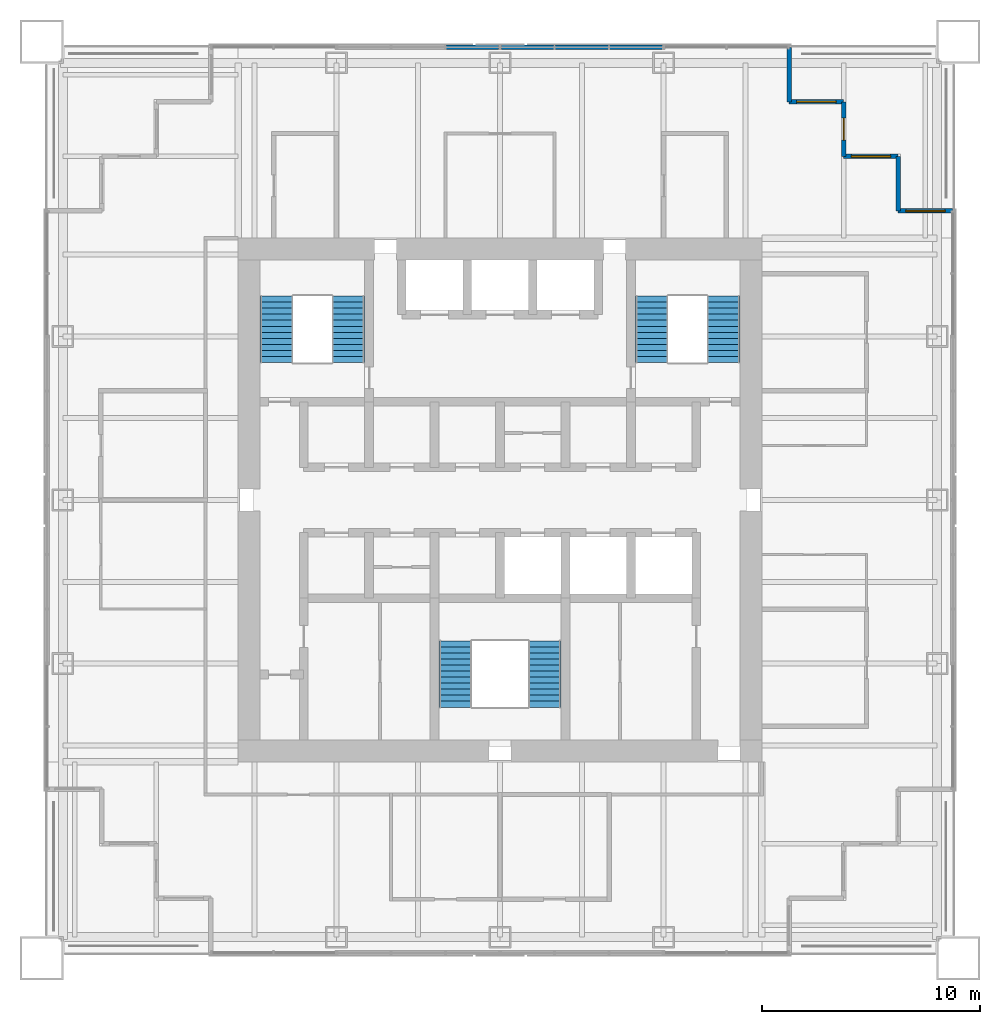
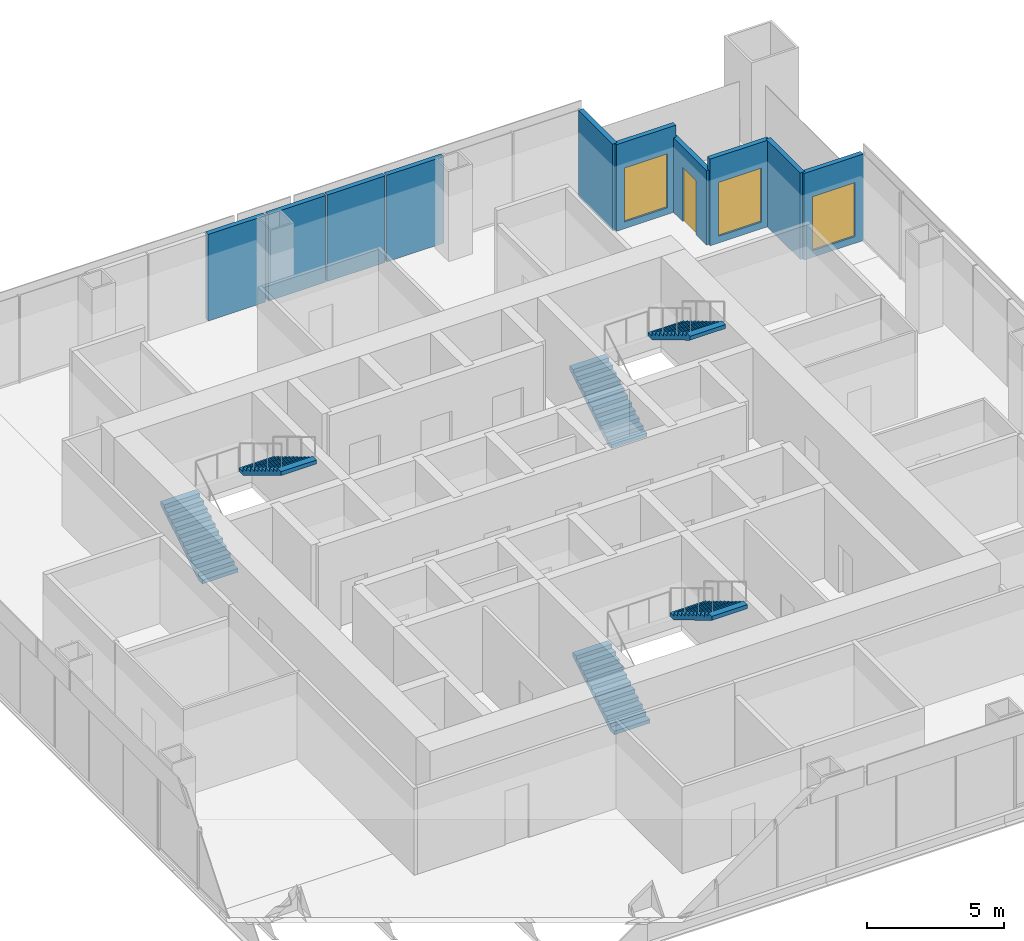
# One storey, part 12 of 14: 10 walls, 6 stair flights, 3 windows, 1 door, 4 openings, 3 elements without a shape of their own.
"""IFC4 building model written with IfcOpenShell, lengths in metres."""

from ifc_helpers import new_model, si_unit, direction, frame, frame_2d, origin, place, context, subcontext, project, spatial, polyline, rectangle, outline, extrude, material, layer, layer_set, type_object, element, fill, aggregate, save


model = new_model("IFC4")

# Units and contexts
model_context = context("Model", 3, precision=1e-05, world=origin(), true_north=direction((0.0, 1.0)))
body_context = subcontext(model_context, "Body", "Model", "MODEL_VIEW")
ifc_project = project(units=[si_unit("LENGTHUNIT", "METRE"), si_unit("AREAUNIT", "SQUARE_METRE"), si_unit("VOLUMEUNIT", "CUBIC_METRE"), si_unit("PLANEANGLEUNIT", "RADIAN"), si_unit("MASSUNIT", "GRAM", prefix="KILO")], contexts=[model_context])

# Site, building, storey
site_placement = place(None, origin())
site = spatial("IfcSite", under=ifc_project, at=site_placement, CompositionType="ELEMENT")
building_placement = place(site_placement, origin())
building = spatial("IfcBuilding", under=site, at=building_placement, Name="Tarangal Relay Tower", CompositionType="ELEMENT")
storey_placement = place(building_placement, frame((0.0, 0.0, 311.89990234375)))
storey = spatial("IfcBuildingStorey", under=building, at=storey_placement, Name="L69", CompositionType="ELEMENT", Elevation=311.89990234375)

# Wall
ifc_material_1 = material(Name="Black metal clad insulated wall", Category="steel")
ifc_layer_1 = layer(ifc_material_1, 0.199951171875)
ifc_layer_set_1 = layer_set([ifc_layer_1], Name="Corner wall metal clad 200")
wall_type_1 = type_object("IfcWallType", Name="Corner wall metal clad 200", PredefinedType="SOLIDWALL", material=ifc_layer_set_1)
wall_1_placement = place(storey_placement, frame((13.25, 20.75, 0.0), z_axis=(0.0, 0.0, 1.0), x_axis=(0.0, -1.0, 0.0)))
element("IfcWall", 1, at=wall_1_placement, inside=storey, type_object=wall_type_1, Name="Facade wall N facade L69", PredefinedType="SOLIDWALL", context=body_context, shape_type="SweptSolid", body=[
    extrude(rectangle(XDim=2.5, YDim=0.199951171875, at=frame_2d((1.25, 0.0))), origin(), (0.0, 0.0, 1.0), 3.85009765625),
])

# Wall, opening, window
wall_2_placement = place(storey_placement, frame((13.25, 18.25, 0.0), z_axis=(0.0, 0.0, 1.0), x_axis=(1.0, 0.0, 0.0)))
wall_2 = element("IfcWall", 2, at=wall_2_placement, inside=storey, type_object=wall_type_1, Name="Facade wall N facade L69", PredefinedType="SOLIDWALL", context=body_context, shape_type="SweptSolid", body=[
    extrude(rectangle(XDim=2.5, YDim=0.199951171875, at=frame_2d((1.25, 0.0))), origin(), (0.0, 0.0, 1.0), 3.85009765625),
])
opening_1_placement = place(wall_2_placement, frame((0.35009765625, 0.0, 0.300048828125)))
opening_1 = element("IfcOpeningElement", 3, at=opening_1_placement, cuts=wall_2, Name="Opening WN2", PredefinedType="OPENING", context=body_context, shape_type="SweptSolid", body=[
    extrude(rectangle(XDim=1.800048828125, YDim=2.39990234375, at=frame_2d((0.89990234375, 1.199951171875))), frame((0.0, 0.10986328125, 0.0), z_axis=(0.0, -1.0, 0.0), x_axis=(1.0, 0.0, 0.0)), (0.0, 0.0, 1.0), 0.219970703125),
])
ifc_material_2 = material(Name="Dark tinted double glazing in black aluminium frame", Category="aluminium")
window_type = type_object("IfcWindowType", Name="Corner window 1800 x 2400", PartitioningType="SINGLE_PANEL", PredefinedType="WINDOW", material=ifc_material_2)
window_1_placement = place(opening_1_placement, origin())
window_1 = element("IfcWindow", 4, at=window_1_placement, inside=storey, type_object=window_type, Name="Corner window WN2 N facade L69", OverallHeight=2.39990234375, OverallWidth=1.800048828125, PartitioningType="SINGLE_PANEL", PredefinedType="WINDOW", context=body_context, shape_type="SweptSolid", body=[
    extrude(rectangle(XDim=1.800048828125, YDim=2.39990234375, at=frame_2d((0.89990234375, 1.199951171875))), frame((0.0, 0.030029296875, 0.0), z_axis=(0.0, -1.0, 0.0), x_axis=(1.0, 0.0, 0.0)), (0.0, 0.0, 1.0), 0.06005859375),
])
fill(opening_1, window_1)

# Wall, opening, door
wall_3_placement = place(storey_placement, frame((15.75, 18.25, 0.0), z_axis=(0.0, 0.0, 1.0), x_axis=(0.0, -1.0, 0.0)))
wall_3 = element("IfcWall", 5, at=wall_3_placement, inside=storey, type_object=wall_type_1, Name="Facade wall N facade L69", PredefinedType="SOLIDWALL", context=body_context, shape_type="SweptSolid", body=[
    extrude(rectangle(XDim=2.5, YDim=0.199951171875, at=frame_2d((1.25, 0.0))), origin(), (0.0, 0.0, 1.0), 3.316650390625),
])
opening_2_placement = place(wall_3_placement, frame((0.75, 0.0, 0.0)))
opening_2 = element("IfcOpeningElement", 6, at=opening_2_placement, cuts=wall_3, Name="Opening TD1", PredefinedType="OPENING", context=body_context, shape_type="SweptSolid", body=[
    extrude(rectangle(XDim=1.0, YDim=2.39990234375, at=frame_2d((0.5, 1.199951171875))), frame((0.0, 0.10986328125, 0.0), z_axis=(0.0, -1.0, 0.0), x_axis=(1.0, 0.0, 0.0)), (0.0, 0.0, 1.0), 0.219970703125),
])
ifc_material_3 = material(Name="Aluminium glazed door", Category="aluminium")
door_type = type_object("IfcDoorType", Name="Terrace door 1000 x 2400", OperationType="SINGLE_SWING_RIGHT", PredefinedType="DOOR", material=ifc_material_3)
door_placement = place(opening_2_placement, origin())
door = element("IfcDoor", 7, at=door_placement, inside=storey, type_object=door_type, Name="Terrace door TD1 NE L69", OperationType="SINGLE_SWING_RIGHT", OverallHeight=2.39990234375, OverallWidth=1.0, PredefinedType="DOOR", context=body_context, shape_type="SweptSolid", body=[
    extrude(rectangle(XDim=1.0, YDim=2.39990234375, at=frame_2d((0.5, 1.199951171875))), frame((0.0, 0.02490234375, 0.0), z_axis=(0.0, -1.0, 0.0), x_axis=(1.0, 0.0, 0.0)), (0.0, 0.0, 1.0), 0.050048828125),
])
fill(opening_2, door)

# Wall, opening, window
wall_4_placement = place(storey_placement, frame((15.75, 15.75, 0.0), z_axis=(0.0, 0.0, 1.0), x_axis=(1.0, 0.0, 0.0)))
wall_4 = element("IfcWall", 8, at=wall_4_placement, inside=storey, type_object=wall_type_1, Name="Facade wall N facade L69", PredefinedType="SOLIDWALL", context=body_context, shape_type="SweptSolid", body=[
    extrude(rectangle(XDim=2.5, YDim=0.199951171875, at=frame_2d((1.25, 0.0))), origin(), (0.0, 0.0, 1.0), 3.85009765625),
])
opening_3_placement = place(wall_4_placement, frame((0.35009765625, 0.0, 0.300048828125)))
opening_3 = element("IfcOpeningElement", 9, at=opening_3_placement, cuts=wall_4, Name="Opening WN2", PredefinedType="OPENING", context=body_context, shape_type="SweptSolid", body=[
    extrude(rectangle(XDim=1.800048828125, YDim=2.39990234375, at=frame_2d((0.89990234375, 1.199951171875))), frame((0.0, 0.10986328125, 0.0), z_axis=(0.0, -1.0, 0.0), x_axis=(1.0, 0.0, 0.0)), (0.0, 0.0, 1.0), 0.219970703125),
])
window_2_placement = place(opening_3_placement, origin())
window_2 = element("IfcWindow", 10, at=window_2_placement, inside=storey, type_object=window_type, Name="Corner window WN2 N facade L69", OverallHeight=2.39990234375, OverallWidth=1.800048828125, PartitioningType="SINGLE_PANEL", PredefinedType="WINDOW", context=body_context, shape_type="SweptSolid", body=[
    extrude(rectangle(XDim=1.800048828125, YDim=2.39990234375, at=frame_2d((0.89990234375, 1.199951171875))), frame((0.0, 0.030029296875, 0.0), z_axis=(0.0, -1.0, 0.0), x_axis=(1.0, 0.0, 0.0)), (0.0, 0.0, 1.0), 0.06005859375),
])
fill(opening_3, window_2)

# Wall
wall_5_placement = place(storey_placement, frame((18.25, 15.75, 0.0), z_axis=(0.0, 0.0, 1.0), x_axis=(0.0, -1.0, 0.0)))
element("IfcWall", 11, at=wall_5_placement, inside=storey, type_object=wall_type_1, Name="Facade wall N facade L69", PredefinedType="SOLIDWALL", context=body_context, shape_type="SweptSolid", body=[
    extrude(rectangle(XDim=2.5, YDim=0.199951171875, at=frame_2d((1.25, 0.0))), origin(), (0.0, 0.0, 1.0), 3.85009765625),
])

# Wall, opening, window
wall_6_placement = place(storey_placement, frame((18.25, 13.25, 0.0), z_axis=(0.0, 0.0, 1.0), x_axis=(1.0, 0.0, 0.0)))
wall_6 = element("IfcWall", 12, at=wall_6_placement, inside=storey, type_object=wall_type_1, Name="Facade wall N facade L69", PredefinedType="SOLIDWALL", context=body_context, shape_type="SweptSolid", body=[
    extrude(rectangle(XDim=2.5, YDim=0.199951171875, at=frame_2d((1.25, 0.0))), origin(), (0.0, 0.0, 1.0), 3.85009765625),
])
opening_4_placement = place(wall_6_placement, frame((0.35009765625, 0.0, 0.300048828125)))
opening_4 = element("IfcOpeningElement", 13, at=opening_4_placement, cuts=wall_6, Name="Opening WN2", PredefinedType="OPENING", context=body_context, shape_type="SweptSolid", body=[
    extrude(rectangle(XDim=1.800048828125, YDim=2.39990234375, at=frame_2d((0.89990234375, 1.199951171875))), frame((0.0, 0.10986328125, 0.0), z_axis=(0.0, -1.0, 0.0), x_axis=(1.0, 0.0, 0.0)), (0.0, 0.0, 1.0), 0.219970703125),
])
window_3_placement = place(opening_4_placement, origin())
window_3 = element("IfcWindow", 14, at=window_3_placement, inside=storey, type_object=window_type, Name="Corner window WN2 N facade L69", OverallHeight=2.39990234375, OverallWidth=1.800048828125, PartitioningType="SINGLE_PANEL", PredefinedType="WINDOW", context=body_context, shape_type="SweptSolid", body=[
    extrude(rectangle(XDim=1.800048828125, YDim=2.39990234375, at=frame_2d((0.89990234375, 1.199951171875))), frame((0.0, 0.030029296875, 0.0), z_axis=(0.0, -1.0, 0.0), x_axis=(1.0, 0.0, 0.0)), (0.0, 0.0, 1.0), 0.06005859375),
])
fill(opening_4, window_3)

# Walls
ifc_layer_2 = layer(ifc_material_1, 0.199951171875)
ifc_layer_set_2 = layer_set([ifc_layer_2], Name="Facade infill wall metal clad 200")
wall_type_2 = type_object("IfcWallType", Name="Facade infill wall metal clad 200", PredefinedType="SOLIDWALL", material=ifc_layer_set_2)
for number, where, z_axis, x_axis, name in (
    (15, (-2.469970703125, 20.75, 0.0), (0.0, 0.0, 1.0), (1.0, 0.0, 0.0), "Facade infill wall N facade L69 3.1"),
    (16, (0.06005859375, 20.75, 0.0), (0.0, 0.0, 1.0), (1.0, 0.0, 0.0), "Facade infill wall N facade L69 1.1"),
):
    element("IfcWall", number, at=place(storey_placement, frame(where, z_axis=z_axis, x_axis=x_axis)), inside=storey, type_object=wall_type_2, Name=name, PredefinedType="SOLIDWALL", context=body_context, shape_type="SweptSolid", body=[
        extrude(rectangle(XDim=2.409912109375, YDim=0.199951171875, at=frame_2d((1.205078125, 0.0))), origin(), (0.0, 0.0, 1.0), 3.85009765625),
    ])
wall_7_placement = place(storey_placement, frame((2.530029296875, 20.75, 0.0), z_axis=(0.0, 0.0, 1.0), x_axis=(1.0, 0.0, 0.0)))
element("IfcWall", 17, at=wall_7_placement, inside=storey, type_object=wall_type_2, Name="Facade infill wall N facade L69 2.1", PredefinedType="SOLIDWALL", context=body_context, shape_type="SweptSolid", body=[
    extrude(rectangle(XDim=2.43994140625, YDim=0.199951171875, at=frame_2d((1.219970703125, 0.0))), origin(), (0.0, 0.0, 1.0), 3.85009765625),
])
wall_8_placement = place(storey_placement, frame((5.030029296875, 20.75, 0.0), z_axis=(0.0, 0.0, 1.0), x_axis=(1.0, 0.0, 0.0)))
element("IfcWall", 18, at=wall_8_placement, inside=storey, type_object=wall_type_2, Name="Facade infill wall N facade L69 3.1", PredefinedType="SOLIDWALL", context=body_context, shape_type="SweptSolid", body=[
    extrude(rectangle(XDim=2.409912109375, YDim=0.199951171875, at=frame_2d((1.205078125, 0.0))), origin(), (0.0, 0.0, 1.0), 3.85009765625),
])

# Stair, stair flights
ifc_material_4 = material(Name="Steel ASTM A992 stair flight", Category="steel")
stair_type = type_object("IfcStairType", Name="Core stair 1500", PredefinedType="HALF_TURN_STAIR", material=ifc_material_4)
stair_1_placement = place(storey_placement, origin())
stair_1 = element("IfcStair", 19, at=stair_1_placement, inside=storey, type_object=stair_type, Name="Stair ST-A L69", PredefinedType="HALF_TURN_STAIR")
stair_flight_type = type_object("IfcStairFlightType", Name="Steel stair flight 1500, 12 risers 167 x 277", PredefinedType="STRAIGHT", material=ifc_material_4)
stair_flight_1_placement = place(storey_placement, frame((-10.25, 6.300048828125, 0.0), z_axis=(0.0, 0.0, 1.0), x_axis=(0.0, 1.0, 0.0)))
stair_flight_1 = element("IfcStairFlight", 20, at=stair_flight_1_placement, type_object=stair_flight_type, Name="ST-A flight 1", NumberOfRisers=12, NumberOfTreads=11, PredefinedType="STRAIGHT", RiserHeight=0.166666667, TreadLength=0.277, context=body_context, shape_type="SweptSolid", body=[
    extrude(outline(polyline([(0.0, 0.0), (0.0, 0.166748046875), (0.277099609375, 0.166748046875), (0.277099609375, 0.333251953125), (0.553955078125, 0.333251953125), (0.553955078125, 0.5), (0.8310546875, 0.5), (0.8310546875, 0.666748046875), (1.10791015625, 0.666748046875), (1.10791015625, 0.833251953125), (1.385009765625, 0.833251953125), (1.385009765625, 1.0), (1.662109375, 1.0), (1.662109375, 1.166748046875), (1.93896484375, 1.166748046875), (1.93896484375, 1.333251953125), (2.216064453125, 1.333251953125), (2.216064453125, 1.5), (2.492919921875, 1.5), (2.492919921875, 1.666748046875), (2.77001953125, 1.666748046875), (2.77001953125, 1.833251953125), (3.047119140625, 1.833251953125), (3.047119140625, 2.0), (3.047119140625, 1.658447265625), (0.290771484375, 0.0), (0.0, 0.0)])), frame((0.0, 0.75, 0.0), z_axis=(0.0, -1.0, 0.0), x_axis=(1.0, 0.0, 0.0)), (0.0, 0.0, 1.0), 1.5),
])
stair_flight_2_placement = place(storey_placement, frame((-6.949951171875, 9.346923828125, 2.0), z_axis=(0.0, 0.0, 1.0), x_axis=(0.0, -1.0, 0.0)))
stair_flight_2 = element("IfcStairFlight", 21, at=stair_flight_2_placement, type_object=stair_flight_type, Name="ST-A flight 2", NumberOfRisers=12, NumberOfTreads=11, PredefinedType="STRAIGHT", RiserHeight=0.166666667, TreadLength=0.277, context=body_context, shape_type="SweptSolid", body=[
    extrude(outline(polyline([(0.0, 0.0), (0.0, 0.166748046875), (0.277099609375, 0.166748046875), (0.277099609375, 0.333251953125), (0.553955078125, 0.333251953125), (0.553955078125, 0.5), (0.8310546875, 0.5), (0.8310546875, 0.666748046875), (1.10791015625, 0.666748046875), (1.10791015625, 0.833251953125), (1.385009765625, 0.833251953125), (1.385009765625, 1.0), (1.662109375, 1.0), (1.662109375, 1.166748046875), (1.93896484375, 1.166748046875), (1.93896484375, 1.333251953125), (2.216064453125, 1.333251953125), (2.216064453125, 1.5), (2.492919921875, 1.5), (2.492919921875, 1.666748046875), (2.77001953125, 1.666748046875), (2.77001953125, 1.833251953125), (3.047119140625, 1.833251953125), (3.047119140625, 2.0), (3.047119140625, 1.658447265625), (0.290771484375, 0.0), (0.0, 0.0)])), frame((0.0, 0.75, 0.0), z_axis=(0.0, -1.0, 0.0), x_axis=(1.0, 0.0, 0.0)), (0.0, 0.0, 1.0), 1.5),
])
aggregate(stair_1, [stair_flight_1, stair_flight_2])

stair_2_placement = place(storey_placement, origin())
stair_2 = element("IfcStair", 22, at=stair_2_placement, inside=storey, type_object=stair_type, Name="Stair ST-B L69", PredefinedType="HALF_TURN_STAIR")
stair_flight_3_placement = place(storey_placement, frame((6.949951171875, 6.300048828125, 0.0), z_axis=(0.0, 0.0, 1.0), x_axis=(0.0, 1.0, 0.0)))
stair_flight_3 = element("IfcStairFlight", 23, at=stair_flight_3_placement, type_object=stair_flight_type, Name="ST-B flight 1", NumberOfRisers=12, NumberOfTreads=11, PredefinedType="STRAIGHT", RiserHeight=0.166666667, TreadLength=0.277, context=body_context, shape_type="SweptSolid", body=[
    extrude(outline(polyline([(0.0, 0.0), (0.0, 0.166748046875), (0.277099609375, 0.166748046875), (0.277099609375, 0.333251953125), (0.553955078125, 0.333251953125), (0.553955078125, 0.5), (0.8310546875, 0.5), (0.8310546875, 0.666748046875), (1.10791015625, 0.666748046875), (1.10791015625, 0.833251953125), (1.385009765625, 0.833251953125), (1.385009765625, 1.0), (1.662109375, 1.0), (1.662109375, 1.166748046875), (1.93896484375, 1.166748046875), (1.93896484375, 1.333251953125), (2.216064453125, 1.333251953125), (2.216064453125, 1.5), (2.492919921875, 1.5), (2.492919921875, 1.666748046875), (2.77001953125, 1.666748046875), (2.77001953125, 1.833251953125), (3.047119140625, 1.833251953125), (3.047119140625, 2.0), (3.047119140625, 1.658447265625), (0.290771484375, 0.0), (0.0, 0.0)])), frame((0.0, 0.75, 0.0), z_axis=(0.0, -1.0, 0.0), x_axis=(1.0, 0.0, 0.0)), (0.0, 0.0, 1.0), 1.5),
])
stair_flight_4_placement = place(storey_placement, frame((10.25, 9.346923828125, 2.0), z_axis=(0.0, 0.0, 1.0), x_axis=(0.0, -1.0, 0.0)))
stair_flight_4 = element("IfcStairFlight", 24, at=stair_flight_4_placement, type_object=stair_flight_type, Name="ST-B flight 2", NumberOfRisers=12, NumberOfTreads=11, PredefinedType="STRAIGHT", RiserHeight=0.166666667, TreadLength=0.277, context=body_context, shape_type="SweptSolid", body=[
    extrude(outline(polyline([(0.0, 0.0), (0.0, 0.166748046875), (0.277099609375, 0.166748046875), (0.277099609375, 0.333251953125), (0.553955078125, 0.333251953125), (0.553955078125, 0.5), (0.8310546875, 0.5), (0.8310546875, 0.666748046875), (1.10791015625, 0.666748046875), (1.10791015625, 0.833251953125), (1.385009765625, 0.833251953125), (1.385009765625, 1.0), (1.662109375, 1.0), (1.662109375, 1.166748046875), (1.93896484375, 1.166748046875), (1.93896484375, 1.333251953125), (2.216064453125, 1.333251953125), (2.216064453125, 1.5), (2.492919921875, 1.5), (2.492919921875, 1.666748046875), (2.77001953125, 1.666748046875), (2.77001953125, 1.833251953125), (3.047119140625, 1.833251953125), (3.047119140625, 2.0), (3.047119140625, 1.658447265625), (0.290771484375, 0.0), (0.0, 0.0)])), frame((0.0, 0.75, 0.0), z_axis=(0.0, -1.0, 0.0), x_axis=(1.0, 0.0, 0.0)), (0.0, 0.0, 1.0), 1.5),
])
aggregate(stair_2, [stair_flight_3, stair_flight_4])

stair_3_placement = place(storey_placement, origin())
stair_3 = element("IfcStair", 25, at=stair_3_placement, inside=storey, type_object=stair_type, Name="Stair ST-C L69", PredefinedType="HALF_TURN_STAIR")
stair_flight_5_placement = place(storey_placement, frame((-2.050048828125, -9.5, 0.0), z_axis=(0.0, 0.0, 1.0), x_axis=(0.0, 1.0, 0.0)))
stair_flight_5 = element("IfcStairFlight", 26, at=stair_flight_5_placement, type_object=stair_flight_type, Name="ST-C flight 1", NumberOfRisers=12, NumberOfTreads=11, PredefinedType="STRAIGHT", RiserHeight=0.166666667, TreadLength=0.277, context=body_context, shape_type="SweptSolid", body=[
    extrude(outline(polyline([(0.0, 0.0), (0.0, 0.166748046875), (0.277099609375, 0.166748046875), (0.277099609375, 0.333251953125), (0.553955078125, 0.333251953125), (0.553955078125, 0.5), (0.8310546875, 0.5), (0.8310546875, 0.666748046875), (1.10791015625, 0.666748046875), (1.10791015625, 0.833251953125), (1.385009765625, 0.833251953125), (1.385009765625, 1.0), (1.662109375, 1.0), (1.662109375, 1.166748046875), (1.93896484375, 1.166748046875), (1.93896484375, 1.333251953125), (2.216064453125, 1.333251953125), (2.216064453125, 1.5), (2.492919921875, 1.5), (2.492919921875, 1.666748046875), (2.77001953125, 1.666748046875), (2.77001953125, 1.833251953125), (3.047119140625, 1.833251953125), (3.047119140625, 2.0), (3.047119140625, 1.658447265625), (0.290771484375, 0.0), (0.0, 0.0)])), frame((0.0, 0.75, 0.0), z_axis=(0.0, -1.0, 0.0), x_axis=(1.0, 0.0, 0.0)), (0.0, 0.0, 1.0), 1.5),
])
stair_flight_6_placement = place(storey_placement, frame((2.050048828125, -6.452880859375, 2.0), z_axis=(0.0, 0.0, 1.0), x_axis=(0.0, -1.0, 0.0)))
stair_flight_6 = element("IfcStairFlight", 27, at=stair_flight_6_placement, type_object=stair_flight_type, Name="ST-C flight 2", NumberOfRisers=12, NumberOfTreads=11, PredefinedType="STRAIGHT", RiserHeight=0.166666667, TreadLength=0.277, context=body_context, shape_type="SweptSolid", body=[
    extrude(outline(polyline([(0.0, 0.0), (0.0, 0.166748046875), (0.277099609375, 0.166748046875), (0.277099609375, 0.333251953125), (0.553955078125, 0.333251953125), (0.553955078125, 0.5), (0.8310546875, 0.5), (0.8310546875, 0.666748046875), (1.10791015625, 0.666748046875), (1.10791015625, 0.833251953125), (1.385009765625, 0.833251953125), (1.385009765625, 1.0), (1.662109375, 1.0), (1.662109375, 1.166748046875), (1.93896484375, 1.166748046875), (1.93896484375, 1.333251953125), (2.216064453125, 1.333251953125), (2.216064453125, 1.5), (2.492919921875, 1.5), (2.492919921875, 1.666748046875), (2.77001953125, 1.666748046875), (2.77001953125, 1.833251953125), (3.047119140625, 1.833251953125), (3.047119140625, 2.0), (3.047119140625, 1.658447265625), (0.290771484375, 0.0), (0.0, 0.0)])), frame((0.0, 0.75, 0.0), z_axis=(0.0, -1.0, 0.0), x_axis=(1.0, 0.0, 0.0)), (0.0, 0.0, 1.0), 1.5),
])
aggregate(stair_3, [stair_flight_5, stair_flight_6])

save(model, "model.ifc")
